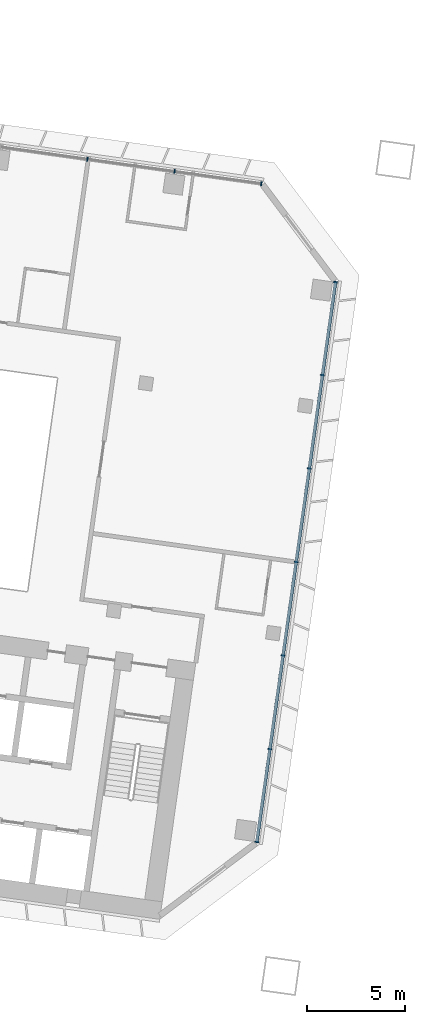
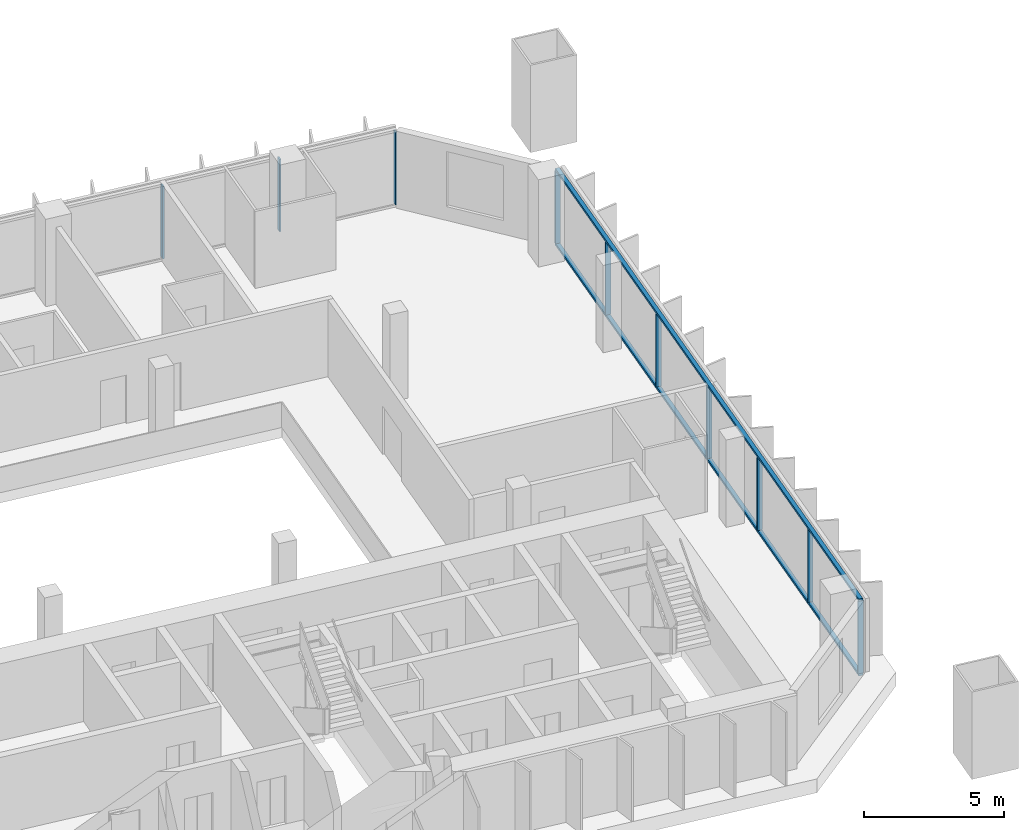
# One storey, part 6 of 24: 12 members, 2 elements without a shape of their own.
"""IFC4 building model written with IfcOpenShell, lengths in metres."""

import ifcopenshell
import ifcopenshell.guid

model = None  # the IFC model being written
_history = None  # IfcOwnerHistory: only IFC2X3 demands one
_inside = {}  # id of a spatial element -> (the spatial element, [elements in it])
_under = {}  # id of a project, library or spatial element -> (it, [spatial elements below it])
_declared = {}  # id of a project -> (the project, [libraries it declares])
_typed = {}  # id of a type object -> (the type object, [elements of that type])
_made_of = {}  # id of a material, layer set ... -> (it, [elements and type objects made of it])


def new_model(schema):
    """Start an empty IFC model of exactly this schema.

    Asked for "IFC4X3", IfcOpenShell would pick the latest addendum, in which some entities
    have other attributes; the version numbers below select the first issue.
    IFC2X3 requires an IfcOwnerHistory on every rooted entity: one is made here for all.
    """
    global model, _history
    if schema == "IFC4X3":
        model = ifcopenshell.file(schema_version=(4, 3, 0, 0))
    else:
        model = ifcopenshell.file(schema=schema)
    _inside.clear()
    _under.clear()
    _declared.clear()
    _typed.clear()
    _made_of.clear()
    _history = None
    if model.schema == "IFC2X3":
        org = make("IfcOrganization", Name="unknown")
        user = make(
            "IfcPersonAndOrganization",
            ThePerson=make("IfcPerson", FamilyName="unknown"),
            TheOrganization=org,
        )
        app = make(
            "IfcApplication",
            ApplicationDeveloper=org,
            Version="unknown",
            ApplicationFullName="unknown",
            ApplicationIdentifier="unknown",
        )
        _history = make(
            "IfcOwnerHistory",
            OwningUser=user,
            OwningApplication=app,
            ChangeAction="ADDED",
            CreationDate=0,
        )
    return model


def make(cls, **values):
    """One entity of the class cls with the attributes given. An attribute that is None is left unset."""
    return model.create_entity(
        cls, **{name: value for name, value in values.items() if value is not None}
    )


def rooted(cls, **values):
    """An entity with a GlobalId (a new one), such as an element, a storey or a relation."""
    return make(cls, GlobalId=ifcopenshell.guid.new(), OwnerHistory=_history, **values)


def si_unit(unit_type, name, prefix=None):
    """IfcSIUnit, for example si_unit("LENGTHUNIT", "METRE", prefix="MILLI")."""
    return make("IfcSIUnit", UnitType=unit_type, Prefix=prefix, Name=name)


def assignment(units):
    """IfcUnitAssignment: the units of a project."""
    return None if units is None else make("IfcUnitAssignment", Units=units)


def point(xyz):
    """IfcCartesianPoint."""
    return None if xyz is None else make("IfcCartesianPoint", Coordinates=xyz)


def direction(xyz):
    """IfcDirection."""
    return None if xyz is None else make("IfcDirection", DirectionRatios=xyz)


def frame(location, z_axis=None, x_axis=None):
    """IfcAxis2Placement3D, a coordinate frame: its origin and axes. An axis left out is left unset."""
    return make(
        "IfcAxis2Placement3D",
        Location=point(location),
        Axis=direction(z_axis),
        RefDirection=direction(x_axis),
    )


def frame_2d(location, x_axis=None):
    """IfcAxis2Placement2D, a coordinate frame in the plane: its origin and x axis."""
    return make(
        "IfcAxis2Placement2D", Location=point(location), RefDirection=direction(x_axis)
    )


def origin():
    """The frame at (0, 0, 0) with its axes left unset."""
    return frame((0.0, 0.0, 0.0))


def origin_2d():
    """The frame at (0, 0) in the plane with its x axis left unset."""
    return frame_2d((0.0, 0.0))


def place(relative_to, where):
    """IfcLocalPlacement: puts the frame where relative to a parent placement (None: the world)."""
    return make(
        "IfcLocalPlacement", PlacementRelTo=relative_to, RelativePlacement=where
    )


def context(
    kind, dimensions, precision=None, world=None, true_north=None, identifier=None
):
    """IfcGeometricRepresentationContext, for example the 3D "Model" context."""
    return make(
        "IfcGeometricRepresentationContext",
        ContextIdentifier=identifier,
        ContextType=kind,
        CoordinateSpaceDimension=dimensions,
        Precision=precision,
        WorldCoordinateSystem=world,
        TrueNorth=true_north,
    )


def subcontext(parent, identifier, kind, view, scale=None):
    """IfcGeometricRepresentationSubContext, for example "Body" below "Model"."""
    return make(
        "IfcGeometricRepresentationSubContext",
        ContextIdentifier=identifier,
        ContextType=kind,
        ParentContext=parent,
        TargetScale=scale,
        TargetView=view,
    )


def project(units=None, contexts=None):
    """IfcProject with its units and contexts."""
    return rooted(
        "IfcProject",
        Name="project",
        RepresentationContexts=contexts,
        UnitsInContext=assignment(units),
    )


def spatial(cls, under=None, at=None, **own):
    """A site, building, storey or space (cls), placed at a placement, below another one or the project."""
    s = rooted(cls, ObjectPlacement=at, **own)
    if under is not None:
        _under.setdefault(under.id(), (under, []))[1].append(s)
    return s


def profile(cls, at=None, kind="AREA", **sizes):
    """A parametric profile (cls). Its sizes go by their IFC names, for example OverallWidth=200.0."""
    return make(cls, ProfileType=kind, Position=at, **sizes)


def rectangle(**sizes):
    """IfcRectangleProfileDef."""
    return profile("IfcRectangleProfileDef", **sizes)


def extrude(swept, where, along, depth):
    """IfcExtrudedAreaSolid: the profile swept, set in the frame where, extruded along a direction by depth."""
    return make(
        "IfcExtrudedAreaSolid",
        SweptArea=swept,
        Position=where,
        ExtrudedDirection=direction(along),
        Depth=depth,
    )


def shape(context_of_items, identifier, shape_type, items):
    """IfcShapeRepresentation: the items that make up one representation, for example the "Body"."""
    return make(
        "IfcShapeRepresentation",
        ContextOfItems=context_of_items,
        RepresentationIdentifier=identifier,
        RepresentationType=shape_type,
        Items=items,
    )


def material(Name=None, Category=None):
    """IfcMaterial."""
    return make("IfcMaterial", Name=Name, Category=Category)


def material_profile(
    of_material, cross_section, Name=None, Category=None, Priority=None
):
    """IfcMaterialProfile: a cross section and its material."""
    return make(
        "IfcMaterialProfile",
        Name=Name,
        Material=of_material,
        Profile=cross_section,
        Priority=Priority,
        Category=Category,
    )


def profile_set(profiles, Name=None, composite=None):
    """IfcMaterialProfileSet."""
    return make(
        "IfcMaterialProfileSet",
        Name=Name,
        MaterialProfiles=profiles,
        CompositeProfile=composite,
    )


def made_of(thing, what):
    """Note that an element or type object is made of a material, layer set ...; save() writes the relation."""
    if what is not None:
        _made_of.setdefault(what.id(), (what, []))[1].append(thing)
    return thing


def type_object(cls, material=None, **own):
    """A type object (cls), such as IfcWallType, which elements share."""
    return made_of(rooted(cls, **own), material)


def element(
    cls,
    number,
    at=None,
    inside=None,
    cuts=None,
    type_object=None,
    material=None,
    context=None,
    identifier="Body",
    shape_type=None,
    held_by="IfcProductDefinitionShape",
    body=None,
    shapes=None,
    **own,
):
    """One element of the class cls, such as IfcWall. Its Tag is "e" and its number.

    at: its placement. inside: the storey or other place that contains it. cuts: it is an
    opening in that element (IfcRelVoidsElement). A single representation is given by context,
    identifier, shape_type and body (its items); several are given by shapes. held_by: the class
    of the entity that holds the representations. save() writes the other relations.
    """
    e = rooted(cls, Tag="e%d" % number, ObjectPlacement=at, **own)
    if body is not None:
        shapes = [shape(context, identifier, shape_type, body)]
    if shapes is not None:
        e.Representation = make(held_by, Representations=shapes)
    if inside is not None:
        _inside.setdefault(inside.id(), (inside, []))[1].append(e)
    if cuts is not None:
        rooted(
            "IfcRelVoidsElement", RelatingBuildingElement=cuts, RelatedOpeningElement=e
        )
    if type_object is not None:
        _typed.setdefault(type_object.id(), (type_object, []))[1].append(e)
    return made_of(e, material)


def aggregate(whole, parts):
    """IfcRelAggregates: a whole, such as a stair, and the parts it consists of."""
    return rooted("IfcRelAggregates", RelatingObject=whole, RelatedObjects=parts)


def save(model, path):
    """Write the relations noted so far, then the file.

    IfcRelAggregates (storeys below a building ...), IfcRelContainedInSpatialStructure (elements
    in a storey), IfcRelDefinesByType, IfcRelAssociatesMaterial and IfcRelDeclares: one each for
    every whole, place, type object, material and project.
    """
    for whole, parts in _under.values():
        aggregate(whole, parts)
    for where, things in _inside.values():
        rooted(
            "IfcRelContainedInSpatialStructure",
            RelatedElements=things,
            RelatingStructure=where,
        )
    for kind, things in _typed.values():
        rooted("IfcRelDefinesByType", RelatedObjects=things, RelatingType=kind)
    for what, things in _made_of.values():
        rooted("IfcRelAssociatesMaterial", RelatedObjects=things, RelatingMaterial=what)
    for by, libraries in _declared.values():
        rooted("IfcRelDeclares", RelatingContext=by, RelatedDefinitions=libraries)
    model.write(path)


model = new_model("IFC4")

# Units and contexts
model_context = context("Model", 3, precision=1e-05, world=origin(), true_north=direction((0.0, 1.0)))
body_context = subcontext(model_context, "Body", "Model", "MODEL_VIEW")
ifc_project = project(units=[si_unit("LENGTHUNIT", "METRE"), si_unit("AREAUNIT", "SQUARE_METRE"), si_unit("VOLUMEUNIT", "CUBIC_METRE"), si_unit("PLANEANGLEUNIT", "RADIAN"), si_unit("MASSUNIT", "GRAM", prefix="KILO")], contexts=[model_context])

# Site, building, storey
site_placement = place(None, origin())
site = spatial("IfcSite", under=ifc_project, at=site_placement, CompositionType="ELEMENT")
building_placement = place(site_placement, origin())
building = spatial("IfcBuilding", under=site, at=building_placement, Name="Mirante Cascada Hotel Towers", CompositionType="ELEMENT")
storey_placement = place(building_placement, frame((0.0, 0.0, 77.5)))
storey = spatial("IfcBuildingStorey", under=building, at=storey_placement, Name="L16", CompositionType="ELEMENT", Elevation=77.5)

# Curtain wall, members
ifc_material_1 = material(Name="Aluminium mullion and transom frame with clear laminated glass", Category="aluminium")
curtain_wall_type_1 = type_object("IfcCurtainWallType", Name="Ribbon curtain wall ECW1", PredefinedType="NOTDEFINED", material=ifc_material_1)
curtain_wall_1_placement = place(storey_placement, origin())
curtain_wall_1 = element("IfcCurtainWall", 1, at=curtain_wall_1_placement, inside=storey, type_object=curtain_wall_type_1, Name="Front ribbon wall T1 L16", PredefinedType="NOTDEFINED")
ifc_material_2 = material(Name="Anodised aluminium extrusion", Category="aluminium")
ifc_material_profile_1 = material_profile(ifc_material_2, rectangle(XDim=0.2, YDim=0.065, at=origin_2d()), Name="ECW1 MULLION 65x200")
ifc_profile_set_1 = profile_set([ifc_material_profile_1], Name="Anodised aluminium extrusion")
member_type_1 = type_object("IfcMemberType", Name="ECW1 mullion 65x200", PredefinedType="MULLION", material=ifc_profile_set_1)
member_1_placement = place(storey_placement, frame((-40.7892, 18.5516, 0.1), z_axis=(0.0, 0.0, 1.0), x_axis=(0.1391731, 0.9902681, 0.0)))
member_1 = element("IfcMember", 2, at=member_1_placement, type_object=member_type_1, Name="ECW1 mullion 13", PredefinedType="MULLION", context=body_context, shape_type="SweptSolid", body=[
    extrude(rectangle(XDim=0.2, YDim=0.065, at=origin_2d()), origin(), (0.0, 0.0, 1.0), 3.15),
])
member_2_placement = place(storey_placement, frame((-36.3417, 17.9265, 0.1), z_axis=(0.0, 0.0, 1.0), x_axis=(0.1391731, 0.9902681, 0.0)))
member_2 = element("IfcMember", 3, at=member_2_placement, type_object=member_type_1, Name="ECW1 mullion 14", PredefinedType="MULLION", context=body_context, shape_type="SweptSolid", body=[
    extrude(rectangle(XDim=0.2, YDim=0.065, at=origin_2d()), origin(), (0.0, 0.0, 1.0), 3.15),
])
member_3_placement = place(storey_placement, frame((-31.9265, 17.306, 0.1), z_axis=(0.0, 0.0, 1.0), x_axis=(0.1391731, 0.9902681, 0.0)))
member_3 = element("IfcMember", 4, at=member_3_placement, type_object=member_type_1, Name="ECW1 mullion 15", PredefinedType="MULLION", context=body_context, shape_type="SweptSolid", body=[
    extrude(rectangle(XDim=0.2, YDim=0.065, at=origin_2d()), origin(), (0.0, 0.0, 1.0), 3.15),
])
aggregate(curtain_wall_1, [member_1, member_2, member_3])

ifc_material_3 = material(Name="Aluminium mullion and transom frame with clear laminated glass", Category="aluminium")
curtain_wall_type_2 = type_object("IfcCurtainWallType", Name="End ribbon curtain wall ECW2", PredefinedType="NOTDEFINED", material=ifc_material_3)
curtain_wall_2_placement = place(storey_placement, origin())
curtain_wall_2 = element("IfcCurtainWall", 5, at=curtain_wall_2_placement, inside=storey, type_object=curtain_wall_type_2, Name="Inner end wall T1 L16", PredefinedType="NOTDEFINED")
ifc_material_4 = material(Name="Anodised aluminium extrusion", Category="aluminium")
ifc_material_profile_2 = material_profile(ifc_material_4, rectangle(XDim=0.2, YDim=0.065, at=origin_2d()), Name="ECW2 MULLION 65x200")
ifc_profile_set_2 = profile_set([ifc_material_profile_2], Name="Anodised aluminium extrusion")
member_type_2 = type_object("IfcMemberType", Name="ECW2 mullion 65x200", PredefinedType="MULLION", material=ifc_profile_set_2)
member_4_placement = place(storey_placement, frame((-28.1437, 12.2861, 0.1), z_axis=(0.0, 0.0, 1.0), x_axis=(0.9902681, -0.1391731, 0.0)))
member_4 = element("IfcMember", 6, at=member_4_placement, type_object=member_type_2, Name="ECW2 mullion 1", PredefinedType="MULLION", context=body_context, shape_type="SweptSolid", body=[
    extrude(rectangle(XDim=0.2, YDim=0.065, at=origin_2d()), origin(), (0.0, 0.0, 1.0), 3.15),
])
member_5_placement = place(storey_placement, frame((-28.809, 7.5524, 0.1), z_axis=(0.0, 0.0, 1.0), x_axis=(0.9902681, -0.1391731, 0.0)))
member_5 = element("IfcMember", 7, at=member_5_placement, type_object=member_type_2, Name="ECW2 mullion 2", PredefinedType="MULLION", context=body_context, shape_type="SweptSolid", body=[
    extrude(rectangle(XDim=0.2, YDim=0.065, at=origin_2d()), origin(), (0.0, 0.0, 1.0), 3.15),
])
member_6_placement = place(storey_placement, frame((-29.4788, 2.7867, 0.1), z_axis=(0.0, 0.0, 1.0), x_axis=(0.9902681, -0.1391731, 0.0)))
member_6 = element("IfcMember", 8, at=member_6_placement, type_object=member_type_2, Name="ECW2 mullion 3", PredefinedType="MULLION", context=body_context, shape_type="SweptSolid", body=[
    extrude(rectangle(XDim=0.2, YDim=0.065, at=origin_2d()), origin(), (0.0, 0.0, 1.0), 3.15),
])
member_7_placement = place(storey_placement, frame((-30.1485, -1.9791, 0.1), z_axis=(0.0, 0.0, 1.0), x_axis=(0.9902681, -0.1391731, 0.0)))
member_7 = element("IfcMember", 9, at=member_7_placement, type_object=member_type_2, Name="ECW2 mullion 4", PredefinedType="MULLION", context=body_context, shape_type="SweptSolid", body=[
    extrude(rectangle(XDim=0.2, YDim=0.065, at=origin_2d()), origin(), (0.0, 0.0, 1.0), 3.15),
])
member_8_placement = place(storey_placement, frame((-30.8183, -6.7449, 0.1), z_axis=(0.0, 0.0, 1.0), x_axis=(0.9902681, -0.1391731, 0.0)))
member_8 = element("IfcMember", 10, at=member_8_placement, type_object=member_type_2, Name="ECW2 mullion 5", PredefinedType="MULLION", context=body_context, shape_type="SweptSolid", body=[
    extrude(rectangle(XDim=0.2, YDim=0.065, at=origin_2d()), origin(), (0.0, 0.0, 1.0), 3.15),
])
member_9_placement = place(storey_placement, frame((-31.4881, -11.5107, 0.1), z_axis=(0.0, 0.0, 1.0), x_axis=(0.9902681, -0.1391731, 0.0)))
member_9 = element("IfcMember", 11, at=member_9_placement, type_object=member_type_2, Name="ECW2 mullion 6", PredefinedType="MULLION", context=body_context, shape_type="SweptSolid", body=[
    extrude(rectangle(XDim=0.2, YDim=0.065, at=origin_2d()), origin(), (0.0, 0.0, 1.0), 3.15),
])
member_10_placement = place(storey_placement, frame((-32.1534, -16.2443, 0.1), z_axis=(0.0, 0.0, 1.0), x_axis=(0.9902681, -0.1391731, 0.0)))
member_10 = element("IfcMember", 12, at=member_10_placement, type_object=member_type_2, Name="ECW2 mullion 7", PredefinedType="MULLION", context=body_context, shape_type="SweptSolid", body=[
    extrude(rectangle(XDim=0.2, YDim=0.065, at=origin_2d()), origin(), (0.0, 0.0, 1.0), 3.15),
])
ifc_material_5 = material(Name="Anodised aluminium extrusion", Category="aluminium")
ifc_material_profile_3 = material_profile(ifc_material_5, rectangle(XDim=0.16, YDim=0.1, at=origin_2d()), Name="ECW2 TRANSOM 100x160")
ifc_profile_set_3 = profile_set([ifc_material_profile_3], Name="Anodised aluminium extrusion")
member_type_3 = type_object("IfcMemberType", Name="ECW2 transom 100x160", PredefinedType="USERDEFINED", material=ifc_profile_set_3)
member_11_placement = place(storey_placement, frame((-28.1392, 12.3182, 0.05), z_axis=(-0.1391723, -0.9902682, 0.0), x_axis=(0.9902682, -0.1391723, 0.0)))
member_11 = element("IfcMember", 13, at=member_11_placement, type_object=member_type_3, Name="ECW2 sill transom", ObjectType="TRANSOM", PredefinedType="USERDEFINED", context=body_context, shape_type="SweptSolid", body=[
    extrude(rectangle(XDim=0.16, YDim=0.1, at=origin_2d()), origin(), (0.0, 0.0, 1.0), 28.8757),
])
member_12_placement = place(storey_placement, frame((-28.1392, 12.3182, 3.3), z_axis=(-0.1391723, -0.9902682, 0.0), x_axis=(0.9902682, -0.1391723, 0.0)))
member_12 = element("IfcMember", 14, at=member_12_placement, type_object=member_type_3, Name="ECW2 head transom", ObjectType="TRANSOM", PredefinedType="USERDEFINED", context=body_context, shape_type="SweptSolid", body=[
    extrude(rectangle(XDim=0.16, YDim=0.1, at=origin_2d()), origin(), (0.0, 0.0, 1.0), 28.8757),
])
aggregate(curtain_wall_2, [member_11, member_12, member_4, member_5, member_6, member_7, member_8, member_9, member_10])

save(model, "model.ifc")
